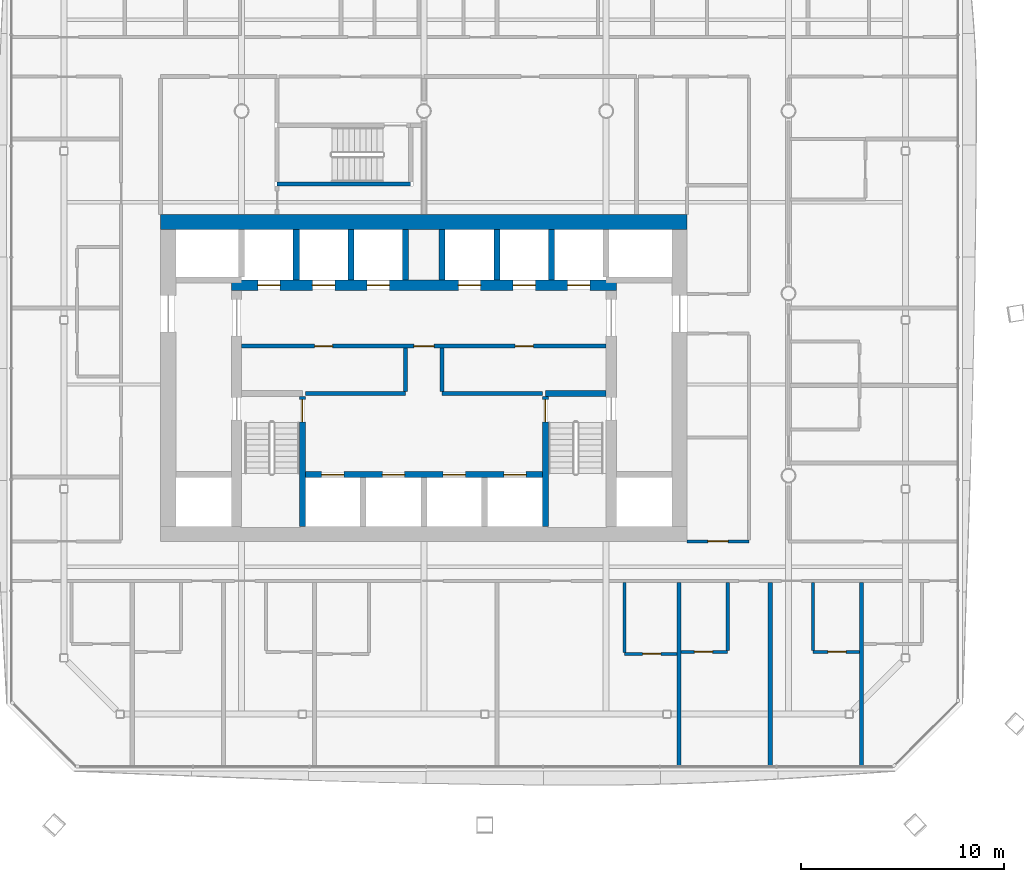
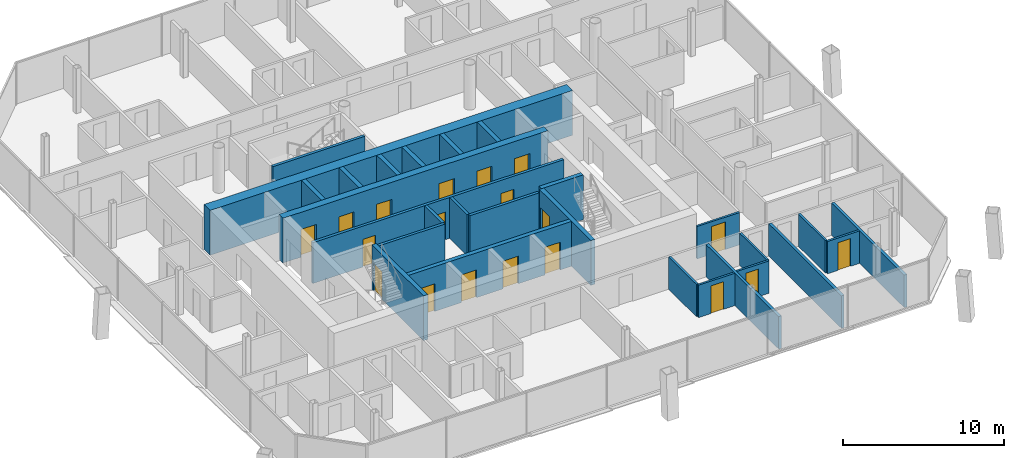
# One storey, part 14 of 22: 28 walls, 19 doors, 19 openings.
"""IFC4 building model written with IfcOpenShell, lengths in metres."""

import ifcopenshell
import ifcopenshell.guid

model = None  # the IFC model being written
_history = None  # IfcOwnerHistory: only IFC2X3 demands one
_inside = {}  # id of a spatial element -> (the spatial element, [elements in it])
_under = {}  # id of a project, library or spatial element -> (it, [spatial elements below it])
_declared = {}  # id of a project -> (the project, [libraries it declares])
_typed = {}  # id of a type object -> (the type object, [elements of that type])
_made_of = {}  # id of a material, layer set ... -> (it, [elements and type objects made of it])


def new_model(schema):
    """Start an empty IFC model of exactly this schema.

    Asked for "IFC4X3", IfcOpenShell would pick the latest addendum, in which some entities
    have other attributes; the version numbers below select the first issue.
    IFC2X3 requires an IfcOwnerHistory on every rooted entity: one is made here for all.
    """
    global model, _history
    if schema == "IFC4X3":
        model = ifcopenshell.file(schema_version=(4, 3, 0, 0))
    else:
        model = ifcopenshell.file(schema=schema)
    _inside.clear()
    _under.clear()
    _declared.clear()
    _typed.clear()
    _made_of.clear()
    _history = None
    if model.schema == "IFC2X3":
        org = make("IfcOrganization", Name="unknown")
        user = make(
            "IfcPersonAndOrganization",
            ThePerson=make("IfcPerson", FamilyName="unknown"),
            TheOrganization=org,
        )
        app = make(
            "IfcApplication",
            ApplicationDeveloper=org,
            Version="unknown",
            ApplicationFullName="unknown",
            ApplicationIdentifier="unknown",
        )
        _history = make(
            "IfcOwnerHistory",
            OwningUser=user,
            OwningApplication=app,
            ChangeAction="ADDED",
            CreationDate=0,
        )
    return model


def make(cls, **values):
    """One entity of the class cls with the attributes given. An attribute that is None is left unset."""
    return model.create_entity(
        cls, **{name: value for name, value in values.items() if value is not None}
    )


def rooted(cls, **values):
    """An entity with a GlobalId (a new one), such as an element, a storey or a relation."""
    return make(cls, GlobalId=ifcopenshell.guid.new(), OwnerHistory=_history, **values)


def si_unit(unit_type, name, prefix=None):
    """IfcSIUnit, for example si_unit("LENGTHUNIT", "METRE", prefix="MILLI")."""
    return make("IfcSIUnit", UnitType=unit_type, Prefix=prefix, Name=name)


def assignment(units):
    """IfcUnitAssignment: the units of a project."""
    return None if units is None else make("IfcUnitAssignment", Units=units)


def point(xyz):
    """IfcCartesianPoint."""
    return None if xyz is None else make("IfcCartesianPoint", Coordinates=xyz)


def direction(xyz):
    """IfcDirection."""
    return None if xyz is None else make("IfcDirection", DirectionRatios=xyz)


def frame(location, z_axis=None, x_axis=None):
    """IfcAxis2Placement3D, a coordinate frame: its origin and axes. An axis left out is left unset."""
    return make(
        "IfcAxis2Placement3D",
        Location=point(location),
        Axis=direction(z_axis),
        RefDirection=direction(x_axis),
    )


def frame_2d(location, x_axis=None):
    """IfcAxis2Placement2D, a coordinate frame in the plane: its origin and x axis."""
    return make(
        "IfcAxis2Placement2D", Location=point(location), RefDirection=direction(x_axis)
    )


def origin():
    """The frame at (0, 0, 0) with its axes left unset."""
    return frame((0.0, 0.0, 0.0))


def place(relative_to, where):
    """IfcLocalPlacement: puts the frame where relative to a parent placement (None: the world)."""
    return make(
        "IfcLocalPlacement", PlacementRelTo=relative_to, RelativePlacement=where
    )


def context(
    kind, dimensions, precision=None, world=None, true_north=None, identifier=None
):
    """IfcGeometricRepresentationContext, for example the 3D "Model" context."""
    return make(
        "IfcGeometricRepresentationContext",
        ContextIdentifier=identifier,
        ContextType=kind,
        CoordinateSpaceDimension=dimensions,
        Precision=precision,
        WorldCoordinateSystem=world,
        TrueNorth=true_north,
    )


def subcontext(parent, identifier, kind, view, scale=None):
    """IfcGeometricRepresentationSubContext, for example "Body" below "Model"."""
    return make(
        "IfcGeometricRepresentationSubContext",
        ContextIdentifier=identifier,
        ContextType=kind,
        ParentContext=parent,
        TargetScale=scale,
        TargetView=view,
    )


def project(units=None, contexts=None):
    """IfcProject with its units and contexts."""
    return rooted(
        "IfcProject",
        Name="project",
        RepresentationContexts=contexts,
        UnitsInContext=assignment(units),
    )


def spatial(cls, under=None, at=None, **own):
    """A site, building, storey or space (cls), placed at a placement, below another one or the project."""
    s = rooted(cls, ObjectPlacement=at, **own)
    if under is not None:
        _under.setdefault(under.id(), (under, []))[1].append(s)
    return s


def profile(cls, at=None, kind="AREA", **sizes):
    """A parametric profile (cls). Its sizes go by their IFC names, for example OverallWidth=200.0."""
    return make(cls, ProfileType=kind, Position=at, **sizes)


def rectangle(**sizes):
    """IfcRectangleProfileDef."""
    return profile("IfcRectangleProfileDef", **sizes)


def extrude(swept, where, along, depth):
    """IfcExtrudedAreaSolid: the profile swept, set in the frame where, extruded along a direction by depth."""
    return make(
        "IfcExtrudedAreaSolid",
        SweptArea=swept,
        Position=where,
        ExtrudedDirection=direction(along),
        Depth=depth,
    )


def shape(context_of_items, identifier, shape_type, items):
    """IfcShapeRepresentation: the items that make up one representation, for example the "Body"."""
    return make(
        "IfcShapeRepresentation",
        ContextOfItems=context_of_items,
        RepresentationIdentifier=identifier,
        RepresentationType=shape_type,
        Items=items,
    )


def material(Name=None, Category=None):
    """IfcMaterial."""
    return make("IfcMaterial", Name=Name, Category=Category)


def layer(
    of_material, thickness, ventilated=None, Name=None, Category=None, Priority=None
):
    """IfcMaterialLayer: one layer of a wall or slab, of a material (None: an air gap)."""
    return make(
        "IfcMaterialLayer",
        Material=of_material,
        LayerThickness=thickness,
        IsVentilated=ventilated,
        Name=Name,
        Category=Category,
        Priority=Priority,
    )


def layer_set(layers, Name=None):
    """IfcMaterialLayerSet."""
    return make("IfcMaterialLayerSet", MaterialLayers=layers, LayerSetName=Name)


def made_of(thing, what):
    """Note that an element or type object is made of a material, layer set ...; save() writes the relation."""
    if what is not None:
        _made_of.setdefault(what.id(), (what, []))[1].append(thing)
    return thing


def type_object(cls, material=None, **own):
    """A type object (cls), such as IfcWallType, which elements share."""
    return made_of(rooted(cls, **own), material)


def element(
    cls,
    number,
    at=None,
    inside=None,
    cuts=None,
    type_object=None,
    material=None,
    context=None,
    identifier="Body",
    shape_type=None,
    held_by="IfcProductDefinitionShape",
    body=None,
    shapes=None,
    **own,
):
    """One element of the class cls, such as IfcWall. Its Tag is "e" and its number.

    at: its placement. inside: the storey or other place that contains it. cuts: it is an
    opening in that element (IfcRelVoidsElement). A single representation is given by context,
    identifier, shape_type and body (its items); several are given by shapes. held_by: the class
    of the entity that holds the representations. save() writes the other relations.
    """
    e = rooted(cls, Tag="e%d" % number, ObjectPlacement=at, **own)
    if body is not None:
        shapes = [shape(context, identifier, shape_type, body)]
    if shapes is not None:
        e.Representation = make(held_by, Representations=shapes)
    if inside is not None:
        _inside.setdefault(inside.id(), (inside, []))[1].append(e)
    if cuts is not None:
        rooted(
            "IfcRelVoidsElement", RelatingBuildingElement=cuts, RelatedOpeningElement=e
        )
    if type_object is not None:
        _typed.setdefault(type_object.id(), (type_object, []))[1].append(e)
    return made_of(e, material)


def fill(opening, filler):
    """IfcRelFillsElement: the door or window that sits in an opening."""
    return rooted(
        "IfcRelFillsElement",
        RelatingOpeningElement=opening,
        RelatedBuildingElement=filler,
    )


def aggregate(whole, parts):
    """IfcRelAggregates: a whole, such as a stair, and the parts it consists of."""
    return rooted("IfcRelAggregates", RelatingObject=whole, RelatedObjects=parts)


def save(model, path):
    """Write the relations noted so far, then the file.

    IfcRelAggregates (storeys below a building ...), IfcRelContainedInSpatialStructure (elements
    in a storey), IfcRelDefinesByType, IfcRelAssociatesMaterial and IfcRelDeclares: one each for
    every whole, place, type object, material and project.
    """
    for whole, parts in _under.values():
        aggregate(whole, parts)
    for where, things in _inside.values():
        rooted(
            "IfcRelContainedInSpatialStructure",
            RelatedElements=things,
            RelatingStructure=where,
        )
    for kind, things in _typed.values():
        rooted("IfcRelDefinesByType", RelatedObjects=things, RelatingType=kind)
    for what, things in _made_of.values():
        rooted("IfcRelAssociatesMaterial", RelatedObjects=things, RelatingMaterial=what)
    for by, libraries in _declared.values():
        rooted("IfcRelDeclares", RelatingContext=by, RelatedDefinitions=libraries)
    model.write(path)


model = new_model("IFC4")

# Units and contexts
model_context = context("Model", 3, precision=1e-05, world=origin(), true_north=direction((0.0, 1.0)))
body_context = subcontext(model_context, "Body", "Model", "MODEL_VIEW")
ifc_project = project(units=[si_unit("LENGTHUNIT", "METRE"), si_unit("AREAUNIT", "SQUARE_METRE"), si_unit("VOLUMEUNIT", "CUBIC_METRE"), si_unit("PLANEANGLEUNIT", "RADIAN"), si_unit("MASSUNIT", "GRAM", prefix="KILO")], contexts=[model_context])

# Site, building, storey
site_placement = place(None, origin())
site = spatial("IfcSite", under=ifc_project, at=site_placement, CompositionType="ELEMENT")
building_placement = place(site_placement, origin())
building = spatial("IfcBuilding", under=site, at=building_placement, Name="Tskaro Facet Tower", CompositionType="ELEMENT")
storey_placement = place(building_placement, frame((0.0, 0.0, 124.89990234375)))
storey = spatial("IfcBuildingStorey", under=building, at=storey_placement, Name="L29", CompositionType="ELEMENT", Elevation=124.89990234375)

# Wall, openings, doors
ifc_material_1 = material(Name="Concrete C60/75", Category="concrete")
ifc_layer_1 = layer(ifc_material_1, 0.300048828125, Name="Concrete C60/75")
ifc_layer_set_1 = layer_set([ifc_layer_1], Name="Concrete C60/75")
wall_type_1 = type_object("IfcWallType", Name="CORE-SHAFT", PredefinedType="SHEAR", material=ifc_layer_set_1)
wall_1_placement = place(storey_placement, frame((-5.85009765625, -8.949951171875, 0.0), z_axis=(0.0, 0.0, 1.0), x_axis=(1.0, 0.0, 0.0)))
wall_1 = element("IfcWall", 1, at=wall_1_placement, inside=storey, type_object=wall_type_1, Name="Shaft wall W015", PredefinedType="SHEAR", context=body_context, shape_type="SweptSolid", body=[
    extrude(rectangle(XDim=11.7001953125, YDim=0.300048828125, at=frame_2d((5.85009765625, 0.0))), origin(), (0.0, 0.0, 1.0), 3.400146484375),
])
opening_1_placement = place(wall_1_placement, frame((0.800048828125, 0.0, 0.0)))
opening_1 = element("IfcOpeningElement", 2, at=opening_1_placement, cuts=wall_1, Name="Opening LD-FF1", PredefinedType="OPENING", context=body_context, shape_type="SweptSolid", body=[
    extrude(rectangle(XDim=1.10009765625, YDim=2.10009765625, at=frame_2d((0.550048828125, 1.050048828125))), frame((0.0, 0.159912109375, 0.0), z_axis=(0.0, -1.0, 0.0), x_axis=(1.0, 0.0, 0.0)), (0.0, 0.0, 1.0), 0.320068359375),
])
opening_2_placement = place(wall_1_placement, frame((3.800048828125, 0.0, 0.0)))
opening_2 = element("IfcOpeningElement", 3, at=opening_2_placement, cuts=wall_1, Name="Opening LD-FF2", PredefinedType="OPENING", context=body_context, shape_type="SweptSolid", body=[
    extrude(rectangle(XDim=1.10009765625, YDim=2.10009765625, at=frame_2d((0.550048828125, 1.050048828125))), frame((0.0, 0.159912109375, 0.0), z_axis=(0.0, -1.0, 0.0), x_axis=(1.0, 0.0, 0.0)), (0.0, 0.0, 1.0), 0.320068359375),
])
opening_3_placement = place(wall_1_placement, frame((6.800048828125, 0.0, 0.0)))
opening_3 = element("IfcOpeningElement", 4, at=opening_3_placement, cuts=wall_1, Name="Opening LD-SV1", PredefinedType="OPENING", context=body_context, shape_type="SweptSolid", body=[
    extrude(rectangle(XDim=1.10009765625, YDim=2.10009765625, at=frame_2d((0.550048828125, 1.050048828125))), frame((0.0, 0.159912109375, 0.0), z_axis=(0.0, -1.0, 0.0), x_axis=(1.0, 0.0, 0.0)), (0.0, 0.0, 1.0), 0.320068359375),
])
opening_4_placement = place(wall_1_placement, frame((9.800048828125, 0.0, 0.0)))
opening_4 = element("IfcOpeningElement", 5, at=opening_4_placement, cuts=wall_1, Name="Opening LD-SV2", PredefinedType="OPENING", context=body_context, shape_type="SweptSolid", body=[
    extrude(rectangle(XDim=1.10009765625, YDim=2.10009765625, at=frame_2d((0.550048828125, 1.050048828125))), frame((0.0, 0.159912109375, 0.0), z_axis=(0.0, -1.0, 0.0), x_axis=(1.0, 0.0, 0.0)), (0.0, 0.0, 1.0), 0.320068359375),
])
ifc_material_2 = material(Name="Stainless steel", Category="steel")
door_type_1 = type_object("IfcDoorType", Name="D-LANDING", OperationType="NOTDEFINED", PredefinedType="DOOR", material=ifc_material_2)
door_1_placement = place(opening_1_placement, origin())
door_1 = element("IfcDoor", 6, at=door_1_placement, inside=storey, type_object=door_type_1, Name="Landing door FF1", OperationType="DOUBLE_DOOR_SLIDING", OverallHeight=2.10009765625, OverallWidth=1.10009765625, PredefinedType="DOOR", context=body_context, shape_type="SweptSolid", body=[
    extrude(rectangle(XDim=1.10009765625, YDim=2.10009765625, at=frame_2d((0.550048828125, 1.050048828125))), frame((0.0, 0.02490234375, 0.0), z_axis=(0.0, -1.0, 0.0), x_axis=(1.0, 0.0, 0.0)), (0.0, 0.0, 1.0), 0.050048828125),
])
fill(opening_1, door_1)
door_2_placement = place(opening_2_placement, origin())
door_2 = element("IfcDoor", 7, at=door_2_placement, inside=storey, type_object=door_type_1, Name="Landing door FF2", OperationType="DOUBLE_DOOR_SLIDING", OverallHeight=2.10009765625, OverallWidth=1.10009765625, PredefinedType="DOOR", context=body_context, shape_type="SweptSolid", body=[
    extrude(rectangle(XDim=1.10009765625, YDim=2.10009765625, at=frame_2d((0.550048828125, 1.050048828125))), frame((0.0, 0.02490234375, 0.0), z_axis=(0.0, -1.0, 0.0), x_axis=(1.0, 0.0, 0.0)), (0.0, 0.0, 1.0), 0.050048828125),
])
fill(opening_2, door_2)
door_3_placement = place(opening_3_placement, origin())
door_3 = element("IfcDoor", 8, at=door_3_placement, inside=storey, type_object=door_type_1, Name="Landing door SV1", OperationType="DOUBLE_DOOR_SLIDING", OverallHeight=2.10009765625, OverallWidth=1.10009765625, PredefinedType="DOOR", context=body_context, shape_type="SweptSolid", body=[
    extrude(rectangle(XDim=1.10009765625, YDim=2.10009765625, at=frame_2d((0.550048828125, 1.050048828125))), frame((0.0, 0.02490234375, 0.0), z_axis=(0.0, -1.0, 0.0), x_axis=(1.0, 0.0, 0.0)), (0.0, 0.0, 1.0), 0.050048828125),
])
fill(opening_3, door_3)
door_4_placement = place(opening_4_placement, origin())
door_4 = element("IfcDoor", 9, at=door_4_placement, inside=storey, type_object=door_type_1, Name="Landing door SV2", OperationType="DOUBLE_DOOR_SLIDING", OverallHeight=2.10009765625, OverallWidth=1.10009765625, PredefinedType="DOOR", context=body_context, shape_type="SweptSolid", body=[
    extrude(rectangle(XDim=1.10009765625, YDim=2.10009765625, at=frame_2d((0.550048828125, 1.050048828125))), frame((0.0, 0.02490234375, 0.0), z_axis=(0.0, -1.0, 0.0), x_axis=(1.0, 0.0, 0.0)), (0.0, 0.0, 1.0), 0.050048828125),
])
fill(opening_4, door_4)

# Walls
wall_2_placement = place(storey_placement, frame((6.0, -4.949951171875, 0.0), z_axis=(0.0, 0.0, 1.0), x_axis=(1.0, 0.0, 0.0)))
element("IfcWall", 10, at=wall_2_placement, inside=storey, type_object=wall_type_1, Name="Shaft wall W023", PredefinedType="SHEAR", context=body_context, shape_type="SweptSolid", body=[
    extrude(rectangle(XDim=3.0, YDim=0.300048828125, at=frame_2d((1.5, 0.0))), origin(), (0.0, 0.0, 1.0), 3.400146484375),
])
wall_3_placement = place(storey_placement, frame((-6.300048828125, 0.64990234375, 0.0), z_axis=(0.0, 0.0, 1.0), x_axis=(0.0, 1.0, 0.0)))
element("IfcWall", 11, at=wall_3_placement, inside=storey, type_object=wall_type_1, Name="Shaft wall W070", PredefinedType="SHEAR", context=body_context, shape_type="SweptSolid", body=[
    extrude(rectangle(XDim=2.5, YDim=0.300048828125, at=frame_2d((1.25, 0.0))), origin(), (0.0, 0.0, 1.0), 3.400146484375),
])

# Wall, opening, door
wall_4_placement = place(storey_placement, frame((-6.0, -11.5, 0.0), z_axis=(0.0, 0.0, 1.0), x_axis=(0.0, 1.0, 0.0)))
wall_4 = element("IfcWall", 12, at=wall_4_placement, inside=storey, type_object=wall_type_1, Name="Shaft wall W071", PredefinedType="SHEAR", context=body_context, shape_type="SweptSolid", body=[
    extrude(rectangle(XDim=6.39990234375, YDim=0.300048828125, at=frame_2d((3.199951171875, 0.0))), origin(), (0.0, 0.0, 1.0), 3.400146484375),
])
opening_5_placement = place(wall_4_placement, frame((5.14990234375, 0.0, 0.0)))
opening_5 = element("IfcOpeningElement", 13, at=opening_5_placement, cuts=wall_4, Name="Opening ST-1-D1", PredefinedType="OPENING", context=body_context, shape_type="SweptSolid", body=[
    extrude(rectangle(XDim=1.10009765625, YDim=2.10009765625, at=frame_2d((0.550048828125, 1.050048828125))), frame((0.0, 0.159912109375, 0.0), z_axis=(0.0, -1.0, 0.0), x_axis=(1.0, 0.0, 0.0)), (0.0, 0.0, 1.0), 0.320068359375),
])
ifc_material_3 = material(Name="Steel", Category="steel")
door_type_2 = type_object("IfcDoorType", Name="D-STAIR", OperationType="NOTDEFINED", PredefinedType="DOOR", material=ifc_material_3)
door_5_placement = place(opening_5_placement, origin())
door_5 = element("IfcDoor", 14, at=door_5_placement, inside=storey, type_object=door_type_2, Name="Stair door 1", OperationType="SINGLE_SWING_LEFT", OverallHeight=2.10009765625, OverallWidth=1.10009765625, PredefinedType="DOOR", context=body_context, shape_type="SweptSolid", body=[
    extrude(rectangle(XDim=1.10009765625, YDim=2.10009765625, at=frame_2d((0.550048828125, 1.050048828125))), frame((0.0, 0.02490234375, 0.0), z_axis=(0.0, -1.0, 0.0), x_axis=(1.0, 0.0, 0.0)), (0.0, 0.0, 1.0), 0.050048828125),
])
fill(opening_5, door_5)

# Walls
for number, where, z_axis, x_axis, name in (
    (15, (-3.60009765625, 0.64990234375, 0.0), (0.0, 0.0, 1.0), (0.0, 1.0, 0.0), "Shaft wall W074"),
    (16, (-0.89990234375, 0.64990234375, 0.0), (0.0, 0.0, 1.0), (0.0, 1.0, 0.0), "Shaft wall W079"),
    (17, (0.89990234375, 0.64990234375, 0.0), (0.0, 0.0, 1.0), (0.0, 1.0, 0.0), "Shaft wall W086"),
    (18, (3.60009765625, 0.64990234375, 0.0), (0.0, 0.0, 1.0), (0.0, 1.0, 0.0), "Shaft wall W090"),
):
    element("IfcWall", number, at=place(storey_placement, frame(where, z_axis=z_axis, x_axis=x_axis)), inside=storey, type_object=wall_type_1, Name=name, PredefinedType="SHEAR", context=body_context, shape_type="SweptSolid", body=[
        extrude(rectangle(XDim=2.5, YDim=0.300048828125, at=frame_2d((1.25, 0.0))), origin(), (0.0, 0.0, 1.0), 3.400146484375),
    ])

# Wall, opening, door
wall_5_placement = place(storey_placement, frame((6.0, -5.10009765625, 0.0), z_axis=(0.0, 0.0, 1.0), x_axis=(0.0, -1.0, 0.0)))
wall_5 = element("IfcWall", 19, at=wall_5_placement, inside=storey, type_object=wall_type_1, Name="Shaft wall W092", PredefinedType="SHEAR", context=body_context, shape_type="SweptSolid", body=[
    extrude(rectangle(XDim=6.39990234375, YDim=0.300048828125, at=frame_2d((3.199951171875, 0.0))), origin(), (0.0, 0.0, 1.0), 3.400146484375),
])
opening_6_placement = place(wall_5_placement, frame((0.14990234375, 0.0, 0.0)))
opening_6 = element("IfcOpeningElement", 20, at=opening_6_placement, cuts=wall_5, Name="Opening ST-2-D1", PredefinedType="OPENING", context=body_context, shape_type="SweptSolid", body=[
    extrude(rectangle(XDim=1.10009765625, YDim=2.10009765625, at=frame_2d((0.550048828125, 1.050048828125))), frame((0.0, 0.159912109375, 0.0), z_axis=(0.0, -1.0, 0.0), x_axis=(1.0, 0.0, 0.0)), (0.0, 0.0, 1.0), 0.320068359375),
])
door_6_placement = place(opening_6_placement, origin())
door_6 = element("IfcDoor", 21, at=door_6_placement, inside=storey, type_object=door_type_2, Name="Stair door 2", OperationType="SINGLE_SWING_RIGHT", OverallHeight=2.10009765625, OverallWidth=1.10009765625, PredefinedType="DOOR", context=body_context, shape_type="SweptSolid", body=[
    extrude(rectangle(XDim=1.10009765625, YDim=2.10009765625, at=frame_2d((0.550048828125, 1.050048828125))), frame((0.0, 0.02490234375, 0.0), z_axis=(0.0, -1.0, 0.0), x_axis=(1.0, 0.0, 0.0)), (0.0, 0.0, 1.0), 0.050048828125),
])
fill(opening_6, door_6)

# Walls
wall_6_placement = place(storey_placement, frame((6.300048828125, 0.64990234375, 0.0), z_axis=(0.0, 0.0, 1.0), x_axis=(0.0, 1.0, 0.0)))
element("IfcWall", 22, at=wall_6_placement, inside=storey, type_object=wall_type_1, Name="Shaft wall W093", PredefinedType="SHEAR", context=body_context, shape_type="SweptSolid", body=[
    extrude(rectangle(XDim=2.5, YDim=0.300048828125, at=frame_2d((1.25, 0.0))), origin(), (0.0, 0.0, 1.0), 3.400146484375),
])
ifc_material_4 = material(Name="Concrete C20/25", Category="concrete")
ifc_layer_2 = layer(ifc_material_4, 0.199951171875, Name="Concrete C20/25")
ifc_layer_set_2 = layer_set([ifc_layer_2], Name="Concrete C20/25")
wall_type_2 = type_object("IfcWallType", Name="CORE-WALL", PredefinedType="SOLIDWALL", material=ifc_layer_set_2)
for number, where, z_axis, x_axis, name in (
    (23, (-5.85009765625, -4.949951171875, 0.0), (0.0, 0.0, 1.0), (1.0, 0.0, 0.0), "Core room wall W021"),
    (24, (0.89990234375, -4.949951171875, 0.0), (0.0, 0.0, 1.0), (1.0, 0.0, 0.0), "Core room wall W022"),
):
    element("IfcWall", number, at=place(storey_placement, frame(where, z_axis=z_axis, x_axis=x_axis)), inside=storey, type_object=wall_type_2, Name=name, PredefinedType="SOLIDWALL", context=body_context, shape_type="SweptSolid", body=[
        extrude(rectangle(XDim=4.9501953125, YDim=0.199951171875, at=frame_2d((2.47509765625, 0.0))), origin(), (0.0, 0.0, 1.0), 3.10009765625),
    ])

# Wall, openings, doors
wall_7_placement = place(storey_placement, frame((9.0, -2.60009765625, 0.0), z_axis=(0.0, 0.0, 1.0), x_axis=(-1.0, 0.0, 0.0)))
wall_7 = element("IfcWall", 25, at=wall_7_placement, inside=storey, type_object=wall_type_2, Name="Core room wall W026", PredefinedType="SOLIDWALL", context=body_context, shape_type="SweptSolid", body=[
    extrude(rectangle(XDim=18.0, YDim=0.199951171875, at=frame_2d((9.0, 0.0))), origin(), (0.0, 0.0, 1.0), 3.10009765625),
])
opening_7_placement = place(wall_7_placement, frame((8.5, 0.0, 0.0)))
opening_7 = element("IfcOpeningElement", 26, at=opening_7_placement, cuts=wall_7, Name="Opening FL-D1", PredefinedType="OPENING", context=body_context, shape_type="SweptSolid", body=[
    extrude(rectangle(XDim=1.0, YDim=2.10009765625, at=frame_2d((0.5, 1.050048828125))), frame((0.0, 0.10986328125, 0.0), z_axis=(0.0, -1.0, 0.0), x_axis=(1.0, 0.0, 0.0)), (0.0, 0.0, 1.0), 0.219970703125),
])
opening_8_placement = place(wall_7_placement, frame((13.5, 0.0, 0.0)))
opening_8 = element("IfcOpeningElement", 27, at=opening_8_placement, cuts=wall_7, Name="Opening T8-D26", PredefinedType="OPENING", context=body_context, shape_type="SweptSolid", body=[
    extrude(rectangle(XDim=0.89990234375, YDim=2.10009765625, at=frame_2d((0.449951171875, 1.050048828125))), frame((0.0, 0.10986328125, 0.0), z_axis=(0.0, -1.0, 0.0), x_axis=(1.0, 0.0, 0.0)), (0.0, 0.0, 1.0), 0.219970703125),
])
opening_9_placement = place(wall_7_placement, frame((3.60009765625, 0.0, 0.0)))
opening_9 = element("IfcOpeningElement", 28, at=opening_9_placement, cuts=wall_7, Name="Opening T8-D27", PredefinedType="OPENING", context=body_context, shape_type="SweptSolid", body=[
    extrude(rectangle(XDim=0.89990234375, YDim=2.10009765625, at=frame_2d((0.449951171875, 1.050048828125))), frame((0.0, 0.10986328125, 0.0), z_axis=(0.0, -1.0, 0.0), x_axis=(1.0, 0.0, 0.0)), (0.0, 0.0, 1.0), 0.219970703125),
])
door_type_3 = type_object("IfcDoorType", Name="D-LOBBY", OperationType="NOTDEFINED", PredefinedType="DOOR", material=ifc_material_3)
door_7_placement = place(opening_7_placement, origin())
door_7 = element("IfcDoor", 29, at=door_7_placement, inside=storey, type_object=door_type_3, Name="Lobby door FL", OperationType="SINGLE_SWING_RIGHT", OverallHeight=2.10009765625, OverallWidth=1.0, PredefinedType="DOOR", context=body_context, shape_type="SweptSolid", body=[
    extrude(rectangle(XDim=1.0, YDim=2.10009765625, at=frame_2d((0.5, 1.050048828125))), frame((0.0, 0.02490234375, 0.0), z_axis=(0.0, -1.0, 0.0), x_axis=(1.0, 0.0, 0.0)), (0.0, 0.0, 1.0), 0.050048828125),
])
fill(opening_7, door_7)
ifc_material_5 = material(Name="Timber", Category="wood")
door_type_4 = type_object("IfcDoorType", Name="D-ROOM", OperationType="NOTDEFINED", PredefinedType="DOOR", material=ifc_material_5)
door_8_placement = place(opening_8_placement, origin())
door_8 = element("IfcDoor", 30, at=door_8_placement, inside=storey, type_object=door_type_4, Name="Door T8-D26", OperationType="SINGLE_SWING_RIGHT", OverallHeight=2.10009765625, OverallWidth=0.89990234375, PredefinedType="DOOR", context=body_context, shape_type="SweptSolid", body=[
    extrude(rectangle(XDim=0.89990234375, YDim=2.10009765625, at=frame_2d((0.449951171875, 1.050048828125))), frame((0.0, 0.02490234375, 0.0), z_axis=(0.0, -1.0, 0.0), x_axis=(1.0, 0.0, 0.0)), (0.0, 0.0, 1.0), 0.050048828125),
])
fill(opening_8, door_8)
door_9_placement = place(opening_9_placement, origin())
door_9 = element("IfcDoor", 31, at=door_9_placement, inside=storey, type_object=door_type_4, Name="Door T8-D27", OperationType="SINGLE_SWING_RIGHT", OverallHeight=2.10009765625, OverallWidth=0.89990234375, PredefinedType="DOOR", context=body_context, shape_type="SweptSolid", body=[
    extrude(rectangle(XDim=0.89990234375, YDim=2.10009765625, at=frame_2d((0.449951171875, 1.050048828125))), frame((0.0, 0.02490234375, 0.0), z_axis=(0.0, -1.0, 0.0), x_axis=(1.0, 0.0, 0.0)), (0.0, 0.0, 1.0), 0.050048828125),
])
fill(opening_9, door_9)

# Walls
for number, where, z_axis, x_axis, name in (
    (32, (-0.89990234375, -4.85009765625, 0.0), (0.0, 0.0, 1.0), (0.0, 1.0, 0.0), "Core room wall W078"),
    (33, (0.89990234375, -4.85009765625, 0.0), (0.0, 0.0, 1.0), (0.0, 1.0, 0.0), "Core room wall W085"),
):
    element("IfcWall", number, at=place(storey_placement, frame(where, z_axis=z_axis, x_axis=x_axis)), inside=storey, type_object=wall_type_2, Name=name, PredefinedType="SOLIDWALL", context=body_context, shape_type="SweptSolid", body=[
        extrude(rectangle(XDim=2.150146484375, YDim=0.199951171875, at=frame_2d((1.0751953125, 0.0))), origin(), (0.0, 0.0, 1.0), 3.10009765625),
    ])

# Wall, openings, doors
ifc_material_6 = material(Name="Concrete C40/50", Category="concrete")
ifc_layer_3 = layer(ifc_material_6, 0.5, Name="Concrete C40/50")
ifc_layer_set_3 = layer_set([ifc_layer_3], Name="Concrete C40/50")
wall_type_3 = type_object("IfcWallType", Name="Core wall 500", PredefinedType="SHEAR", material=ifc_layer_set_3)
wall_8_placement = place(storey_placement, frame((-9.5, 0.39990234375, 0.0), z_axis=(0.0, 0.0, 1.0), x_axis=(1.0, 0.0, 0.0)))
wall_8 = element("IfcWall", 34, at=wall_8_placement, inside=storey, type_object=wall_type_3, Name="Core wall CW-Z3N", PredefinedType="SHEAR", context=body_context, shape_type="SweptSolid", body=[
    extrude(rectangle(XDim=19.0, YDim=0.5, at=frame_2d((9.5, 0.0))), origin(), (0.0, 0.0, 1.0), 3.400146484375),
])
opening_10_placement = place(wall_8_placement, frame((1.300048828125, 0.0, 0.0)))
opening_10 = element("IfcOpeningElement", 35, at=opening_10_placement, cuts=wall_8, Name="Opening LD-MB1", PredefinedType="OPENING", context=body_context, shape_type="SweptSolid", body=[
    extrude(rectangle(XDim=1.10009765625, YDim=2.10009765625, at=frame_2d((0.550048828125, 1.050048828125))), frame((0.0, 0.260009765625, 0.0), z_axis=(0.0, -1.0, 0.0), x_axis=(1.0, 0.0, 0.0)), (0.0, 0.0, 1.0), 0.52001953125),
])
opening_11_placement = place(wall_8_placement, frame((4.0, 0.0, 0.0)))
opening_11 = element("IfcOpeningElement", 36, at=opening_11_placement, cuts=wall_8, Name="Opening LD-MB2", PredefinedType="OPENING", context=body_context, shape_type="SweptSolid", body=[
    extrude(rectangle(XDim=1.10009765625, YDim=2.10009765625, at=frame_2d((0.550048828125, 1.050048828125))), frame((0.0, 0.260009765625, 0.0), z_axis=(0.0, -1.0, 0.0), x_axis=(1.0, 0.0, 0.0)), (0.0, 0.0, 1.0), 0.52001953125),
])
opening_12_placement = place(wall_8_placement, frame((6.699951171875, 0.0, 0.0)))
opening_12 = element("IfcOpeningElement", 37, at=opening_12_placement, cuts=wall_8, Name="Opening LD-MB3", PredefinedType="OPENING", context=body_context, shape_type="SweptSolid", body=[
    extrude(rectangle(XDim=1.10009765625, YDim=2.10009765625, at=frame_2d((0.550048828125, 1.050048828125))), frame((0.0, 0.260009765625, 0.0), z_axis=(0.0, -1.0, 0.0), x_axis=(1.0, 0.0, 0.0)), (0.0, 0.0, 1.0), 0.52001953125),
])
opening_13_placement = place(wall_8_placement, frame((11.199951171875, 0.0, 0.0)))
opening_13 = element("IfcOpeningElement", 38, at=opening_13_placement, cuts=wall_8, Name="Opening LD-MB4", PredefinedType="OPENING", context=body_context, shape_type="SweptSolid", body=[
    extrude(rectangle(XDim=1.10009765625, YDim=2.10009765625, at=frame_2d((0.550048828125, 1.050048828125))), frame((0.0, 0.260009765625, 0.0), z_axis=(0.0, -1.0, 0.0), x_axis=(1.0, 0.0, 0.0)), (0.0, 0.0, 1.0), 0.52001953125),
])
opening_14_placement = place(wall_8_placement, frame((13.89990234375, 0.0, 0.0)))
opening_14 = element("IfcOpeningElement", 39, at=opening_14_placement, cuts=wall_8, Name="Opening LD-MB5", PredefinedType="OPENING", context=body_context, shape_type="SweptSolid", body=[
    extrude(rectangle(XDim=1.10009765625, YDim=2.10009765625, at=frame_2d((0.550048828125, 1.050048828125))), frame((0.0, 0.260009765625, 0.0), z_axis=(0.0, -1.0, 0.0), x_axis=(1.0, 0.0, 0.0)), (0.0, 0.0, 1.0), 0.52001953125),
])
opening_15_placement = place(wall_8_placement, frame((16.60009765625, 0.0, 0.0)))
opening_15 = element("IfcOpeningElement", 40, at=opening_15_placement, cuts=wall_8, Name="Opening LD-MB6", PredefinedType="OPENING", context=body_context, shape_type="SweptSolid", body=[
    extrude(rectangle(XDim=1.10009765625, YDim=2.10009765625, at=frame_2d((0.550048828125, 1.050048828125))), frame((0.0, 0.260009765625, 0.0), z_axis=(0.0, -1.0, 0.0), x_axis=(1.0, 0.0, 0.0)), (0.0, 0.0, 1.0), 0.52001953125),
])
door_10_placement = place(opening_10_placement, origin())
door_10 = element("IfcDoor", 41, at=door_10_placement, inside=storey, type_object=door_type_1, Name="Landing door MB1", OperationType="DOUBLE_DOOR_SLIDING", OverallHeight=2.10009765625, OverallWidth=1.10009765625, PredefinedType="DOOR", context=body_context, shape_type="SweptSolid", body=[
    extrude(rectangle(XDim=1.10009765625, YDim=2.10009765625, at=frame_2d((0.550048828125, 1.050048828125))), frame((0.0, 0.02490234375, 0.0), z_axis=(0.0, -1.0, 0.0), x_axis=(1.0, 0.0, 0.0)), (0.0, 0.0, 1.0), 0.050048828125),
])
fill(opening_10, door_10)
door_11_placement = place(opening_11_placement, origin())
door_11 = element("IfcDoor", 42, at=door_11_placement, inside=storey, type_object=door_type_1, Name="Landing door MB2", OperationType="DOUBLE_DOOR_SLIDING", OverallHeight=2.10009765625, OverallWidth=1.10009765625, PredefinedType="DOOR", context=body_context, shape_type="SweptSolid", body=[
    extrude(rectangle(XDim=1.10009765625, YDim=2.10009765625, at=frame_2d((0.550048828125, 1.050048828125))), frame((0.0, 0.02490234375, 0.0), z_axis=(0.0, -1.0, 0.0), x_axis=(1.0, 0.0, 0.0)), (0.0, 0.0, 1.0), 0.050048828125),
])
fill(opening_11, door_11)
door_12_placement = place(opening_12_placement, origin())
door_12 = element("IfcDoor", 43, at=door_12_placement, inside=storey, type_object=door_type_1, Name="Landing door MB3", OperationType="DOUBLE_DOOR_SLIDING", OverallHeight=2.10009765625, OverallWidth=1.10009765625, PredefinedType="DOOR", context=body_context, shape_type="SweptSolid", body=[
    extrude(rectangle(XDim=1.10009765625, YDim=2.10009765625, at=frame_2d((0.550048828125, 1.050048828125))), frame((0.0, 0.02490234375, 0.0), z_axis=(0.0, -1.0, 0.0), x_axis=(1.0, 0.0, 0.0)), (0.0, 0.0, 1.0), 0.050048828125),
])
fill(opening_12, door_12)
door_13_placement = place(opening_13_placement, origin())
door_13 = element("IfcDoor", 44, at=door_13_placement, inside=storey, type_object=door_type_1, Name="Landing door MB4", OperationType="DOUBLE_DOOR_SLIDING", OverallHeight=2.10009765625, OverallWidth=1.10009765625, PredefinedType="DOOR", context=body_context, shape_type="SweptSolid", body=[
    extrude(rectangle(XDim=1.10009765625, YDim=2.10009765625, at=frame_2d((0.550048828125, 1.050048828125))), frame((0.0, 0.02490234375, 0.0), z_axis=(0.0, -1.0, 0.0), x_axis=(1.0, 0.0, 0.0)), (0.0, 0.0, 1.0), 0.050048828125),
])
fill(opening_13, door_13)
door_14_placement = place(opening_14_placement, origin())
door_14 = element("IfcDoor", 45, at=door_14_placement, inside=storey, type_object=door_type_1, Name="Landing door MB5", OperationType="DOUBLE_DOOR_SLIDING", OverallHeight=2.10009765625, OverallWidth=1.10009765625, PredefinedType="DOOR", context=body_context, shape_type="SweptSolid", body=[
    extrude(rectangle(XDim=1.10009765625, YDim=2.10009765625, at=frame_2d((0.550048828125, 1.050048828125))), frame((0.0, 0.02490234375, 0.0), z_axis=(0.0, -1.0, 0.0), x_axis=(1.0, 0.0, 0.0)), (0.0, 0.0, 1.0), 0.050048828125),
])
fill(opening_14, door_14)
door_15_placement = place(opening_15_placement, origin())
door_15 = element("IfcDoor", 46, at=door_15_placement, inside=storey, type_object=door_type_1, Name="Landing door MB6", OperationType="DOUBLE_DOOR_SLIDING", OverallHeight=2.10009765625, OverallWidth=1.10009765625, PredefinedType="DOOR", context=body_context, shape_type="SweptSolid", body=[
    extrude(rectangle(XDim=1.10009765625, YDim=2.10009765625, at=frame_2d((0.550048828125, 1.050048828125))), frame((0.0, 0.02490234375, 0.0), z_axis=(0.0, -1.0, 0.0), x_axis=(1.0, 0.0, 0.0)), (0.0, 0.0, 1.0), 0.050048828125),
])
fill(opening_15, door_15)

# Wall
ifc_material_7 = material(Name="Concrete C50/60", Category="concrete")
ifc_layer_4 = layer(ifc_material_7, 0.75, Name="Concrete C50/60")
ifc_layer_set_4 = layer_set([ifc_layer_4], Name="Concrete C50/60")
wall_type_4 = type_object("IfcWallType", Name="Core wall 750", PredefinedType="SHEAR", material=ifc_layer_set_4)
wall_9_placement = place(storey_placement, frame((-13.0, 3.52490234375, 0.0), z_axis=(0.0, 0.0, 1.0), x_axis=(1.0, 0.0, 0.0)))
element("IfcWall", 47, at=wall_9_placement, inside=storey, type_object=wall_type_4, Name="Core wall CW-Z2N", PredefinedType="SHEAR", context=body_context, shape_type="SweptSolid", body=[
    extrude(rectangle(XDim=26.0, YDim=0.75, at=frame_2d((13.0, 0.0))), origin(), (0.0, 0.0, 1.0), 3.400146484375),
])

# Wall, opening, door
ifc_material_8 = material(Name="Gypsum board on steel studs", Category="steel")
ifc_layer_5 = layer(ifc_material_8, 0.14990234375, Name="Gypsum board on steel studs")
ifc_layer_set_5 = layer_set([ifc_layer_5], Name="Gypsum board on steel studs")
wall_type_5 = type_object("IfcWallType", Name="PART-CORR", PredefinedType="PARTITIONING", material=ifc_layer_set_5)
wall_10_placement = place(storey_placement, frame((9.89990234375, -17.800048828125, 0.0), z_axis=(0.0, 0.0, 1.0), x_axis=(1.0, 0.0, 0.0)))
wall_10 = element("IfcWall", 48, at=wall_10_placement, inside=storey, type_object=wall_type_5, Name="Corridor wall W002", PredefinedType="PARTITIONING", context=body_context, shape_type="SweptSolid", body=[
    extrude(rectangle(XDim=2.60009765625, YDim=0.14990234375, at=frame_2d((1.300048828125, 0.0))), origin(), (0.0, 0.0, 1.0), 2.460205078125),
])
opening_16_placement = place(wall_10_placement, frame((0.89990234375, 0.0, 0.0)))
opening_16 = element("IfcOpeningElement", 49, at=opening_16_placement, cuts=wall_10, Name="Opening T8-D02", PredefinedType="OPENING", context=body_context, shape_type="SweptSolid", body=[
    extrude(rectangle(XDim=0.89990234375, YDim=2.10009765625, at=frame_2d((0.449951171875, 1.050048828125))), frame((0.0, 0.0849609375, 0.0), z_axis=(0.0, -1.0, 0.0), x_axis=(1.0, 0.0, 0.0)), (0.0, 0.0, 1.0), 0.169921875),
])
door_16_placement = place(opening_16_placement, origin())
door_16 = element("IfcDoor", 50, at=door_16_placement, inside=storey, type_object=door_type_4, Name="Door T8-D02", OperationType="SINGLE_SWING_LEFT", OverallHeight=2.10009765625, OverallWidth=0.89990234375, PredefinedType="DOOR", context=body_context, shape_type="SweptSolid", body=[
    extrude(rectangle(XDim=0.89990234375, YDim=2.10009765625, at=frame_2d((0.449951171875, 1.050048828125))), frame((0.0, 0.02490234375, 0.0), z_axis=(0.0, -1.0, 0.0), x_axis=(1.0, 0.0, 0.0)), (0.0, 0.0, 1.0), 0.050048828125),
])
fill(opening_16, door_16)

wall_11_placement = place(storey_placement, frame((12.699951171875, -17.699951171875, 0.0), z_axis=(0.0, 0.0, 1.0), x_axis=(1.0, 0.0, 0.0)))
wall_11 = element("IfcWall", 51, at=wall_11_placement, inside=storey, type_object=wall_type_5, Name="Corridor wall W005", PredefinedType="PARTITIONING", context=body_context, shape_type="SweptSolid", body=[
    extrude(rectangle(XDim=2.300048828125, YDim=0.14990234375, at=frame_2d((1.14990234375, 0.0))), origin(), (0.0, 0.0, 1.0), 2.460205078125),
])
opening_17_placement = place(wall_11_placement, frame((0.64990234375, 0.0, 0.0)))
opening_17 = element("IfcOpeningElement", 52, at=opening_17_placement, cuts=wall_11, Name="Opening T8-D05", PredefinedType="OPENING", context=body_context, shape_type="SweptSolid", body=[
    extrude(rectangle(XDim=0.89990234375, YDim=2.10009765625, at=frame_2d((0.449951171875, 1.050048828125))), frame((0.0, 0.0849609375, 0.0), z_axis=(0.0, -1.0, 0.0), x_axis=(1.0, 0.0, 0.0)), (0.0, 0.0, 1.0), 0.169921875),
])
door_17_placement = place(opening_17_placement, origin())
door_17 = element("IfcDoor", 53, at=door_17_placement, inside=storey, type_object=door_type_4, Name="Door T8-D05", OperationType="SINGLE_SWING_LEFT", OverallHeight=2.10009765625, OverallWidth=0.89990234375, PredefinedType="DOOR", context=body_context, shape_type="SweptSolid", body=[
    extrude(rectangle(XDim=0.89990234375, YDim=2.10009765625, at=frame_2d((0.449951171875, 1.050048828125))), frame((0.0, 0.02490234375, 0.0), z_axis=(0.0, -1.0, 0.0), x_axis=(1.0, 0.0, 0.0)), (0.0, 0.0, 1.0), 0.050048828125),
])
fill(opening_17, door_17)

wall_12_placement = place(storey_placement, frame((19.198974609375, -17.699951171875, 0.0), z_axis=(0.0, 0.0, 1.0), x_axis=(1.0, 0.0, 0.0)))
wall_12 = element("IfcWall", 54, at=wall_12_placement, inside=storey, type_object=wall_type_5, Name="Corridor wall W006", PredefinedType="PARTITIONING", context=body_context, shape_type="SweptSolid", body=[
    extrude(rectangle(XDim=2.300048828125, YDim=0.14990234375, at=frame_2d((1.14990234375, 0.0))), origin(), (0.0, 0.0, 1.0), 2.460205078125),
])
opening_18_placement = place(wall_12_placement, frame((0.75, 0.0, 0.0)))
opening_18 = element("IfcOpeningElement", 55, at=opening_18_placement, cuts=wall_12, Name="Opening T8-D06", PredefinedType="OPENING", context=body_context, shape_type="SweptSolid", body=[
    extrude(rectangle(XDim=0.89990234375, YDim=2.10009765625, at=frame_2d((0.449951171875, 1.050048828125))), frame((0.0, 0.0849609375, 0.0), z_axis=(0.0, -1.0, 0.0), x_axis=(1.0, 0.0, 0.0)), (0.0, 0.0, 1.0), 0.169921875),
])
door_18_placement = place(opening_18_placement, origin())
door_18 = element("IfcDoor", 56, at=door_18_placement, inside=storey, type_object=door_type_4, Name="Door T8-D06", OperationType="SINGLE_SWING_LEFT", OverallHeight=2.10009765625, OverallWidth=0.89990234375, PredefinedType="DOOR", context=body_context, shape_type="SweptSolid", body=[
    extrude(rectangle(XDim=0.89990234375, YDim=2.10009765625, at=frame_2d((0.449951171875, 1.050048828125))), frame((0.0, 0.02490234375, 0.0), z_axis=(0.0, -1.0, 0.0), x_axis=(1.0, 0.0, 0.0)), (0.0, 0.0, 1.0), 0.050048828125),
])
fill(opening_18, door_18)

wall_13_placement = place(storey_placement, frame((13.0, -12.25, 0.0), z_axis=(0.0, 0.0, 1.0), x_axis=(1.0, 0.0, 0.0)))
wall_13 = element("IfcWall", 57, at=wall_13_placement, inside=storey, type_object=wall_type_5, Name="Corridor wall W011", PredefinedType="PARTITIONING", context=body_context, shape_type="SweptSolid", body=[
    extrude(rectangle(XDim=3.050048828125, YDim=0.14990234375, at=frame_2d((1.52490234375, 0.0))), origin(), (0.0, 0.0, 1.0), 2.460205078125),
])
opening_19_placement = place(wall_13_placement, frame((1.02490234375, 0.0, 0.0)))
opening_19 = element("IfcOpeningElement", 58, at=opening_19_placement, cuts=wall_13, Name="Opening T8-D18", PredefinedType="OPENING", context=body_context, shape_type="SweptSolid", body=[
    extrude(rectangle(XDim=1.0, YDim=2.10009765625, at=frame_2d((0.5, 1.050048828125))), frame((0.0, 0.0849609375, 0.0), z_axis=(0.0, -1.0, 0.0), x_axis=(1.0, 0.0, 0.0)), (0.0, 0.0, 1.0), 0.169921875),
])
door_type_5 = type_object("IfcDoorType", Name="D-ROOM-WIDE", OperationType="NOTDEFINED", PredefinedType="DOOR", material=ifc_material_5)
door_19_placement = place(opening_19_placement, origin())
door_19 = element("IfcDoor", 59, at=door_19_placement, inside=storey, type_object=door_type_5, Name="Door T8-D18", OperationType="SINGLE_SWING_LEFT", OverallHeight=2.10009765625, OverallWidth=1.0, PredefinedType="DOOR", context=body_context, shape_type="SweptSolid", body=[
    extrude(rectangle(XDim=1.0, YDim=2.10009765625, at=frame_2d((0.5, 1.050048828125))), frame((0.0, 0.02490234375, 0.0), z_axis=(0.0, -1.0, 0.0), x_axis=(1.0, 0.0, 0.0)), (0.0, 0.0, 1.0), 0.050048828125),
])
fill(opening_19, door_19)

# Walls
wall_14_placement = place(storey_placement, frame((9.89990234375, -17.72509765625, 0.0), z_axis=(0.0, 0.0, 1.0), x_axis=(0.0, 1.0, 0.0)))
element("IfcWall", 60, at=wall_14_placement, inside=storey, type_object=wall_type_5, Name="Corridor wall W096", PredefinedType="PARTITIONING", context=body_context, shape_type="SweptSolid", body=[
    extrude(rectangle(XDim=3.4501953125, YDim=0.14990234375, at=frame_2d((1.72509765625, 0.0))), origin(), (0.0, 0.0, 1.0), 2.460205078125),
])
for number, where, z_axis, x_axis, name in (
    (61, (15.0, -17.625, 0.0), (0.0, 0.0, 1.0), (0.0, 1.0, 0.0), "Corridor wall W103"),
    (62, (19.198974609375, -17.625, 0.0), (0.0, 0.0, 1.0), (0.0, 1.0, 0.0), "Corridor wall W112"),
):
    element("IfcWall", number, at=place(storey_placement, frame(where, z_axis=z_axis, x_axis=x_axis)), inside=storey, type_object=wall_type_5, Name=name, PredefinedType="PARTITIONING", context=body_context, shape_type="SweptSolid", body=[
        extrude(rectangle(XDim=3.35009765625, YDim=0.14990234375, at=frame_2d((1.675048828125, 0.0))), origin(), (0.0, 0.0, 1.0), 2.460205078125),
    ])
ifc_layer_6 = layer(ifc_material_8, 0.199951171875, Name="Gypsum board on steel studs")
ifc_layer_set_6 = layer_set([ifc_layer_6], Name="Gypsum board on steel studs")
wall_type_6 = type_object("IfcWallType", Name="PART-DEMISING", PredefinedType="PARTITIONING", material=ifc_layer_set_6)
for number, where, z_axis, x_axis, name in (
    (63, (12.60009765625, -23.31689453125, 0.0), (0.0, 0.0, 1.0), (0.0, 1.0, 0.0), "Guest room wall W099"),
    (64, (17.09912109375, -23.31689453125, 0.0), (0.0, 0.0, 1.0), (0.0, 1.0, 0.0), "Guest room wall W106"),
    (65, (21.59912109375, -23.31689453125, 0.0), (0.0, 0.0, 1.0), (0.0, 1.0, 0.0), "Guest room wall W114"),
):
    element("IfcWall", number, at=place(storey_placement, frame(where, z_axis=z_axis, x_axis=x_axis)), inside=storey, type_object=wall_type_6, Name=name, PredefinedType="PARTITIONING", context=body_context, shape_type="SweptSolid", body=[
        extrude(rectangle(XDim=9.0419921875, YDim=0.199951171875, at=frame_2d((4.52099609375, 0.0))), origin(), (0.0, 0.0, 1.0), 2.460205078125),
    ])
ifc_layer_7 = layer(ifc_material_1, 0.199951171875, Name="Concrete C60/75")
ifc_layer_set_7 = layer_set([ifc_layer_7], Name="Concrete C60/75")
wall_type_7 = type_object("IfcWallType", Name="STAIR-WALL", PredefinedType="SHEAR", material=ifc_layer_set_7)
wall_15_placement = place(storey_placement, frame((-7.25, 5.39990234375, 0.0), z_axis=(0.0, 0.0, 1.0), x_axis=(1.0, 0.0, 0.0)))
element("IfcWall", 66, at=wall_15_placement, inside=storey, type_object=wall_type_7, Name="Stair wall W037", PredefinedType="SHEAR", context=body_context, shape_type="SweptSolid", body=[
    extrude(rectangle(XDim=6.60009765625, YDim=0.199951171875, at=frame_2d((3.300048828125, 0.0))), origin(), (0.0, 0.0, 1.0), 3.400146484375),
])

save(model, "model.ifc")
